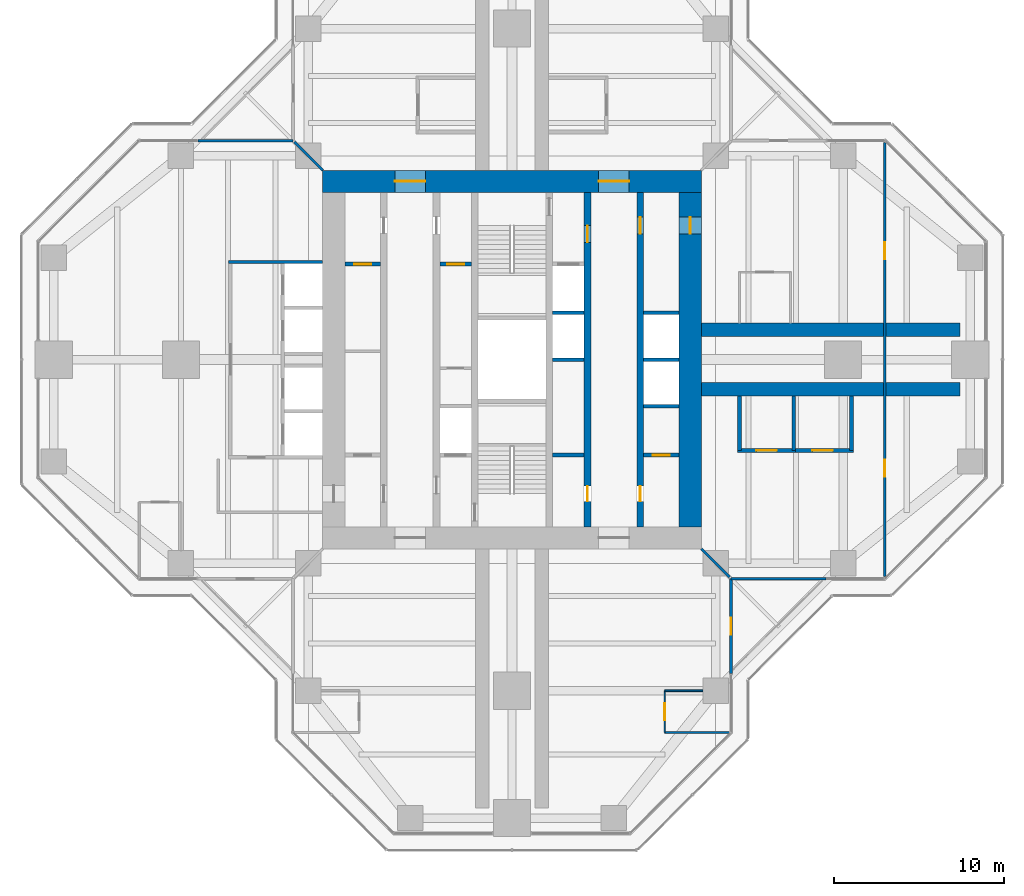
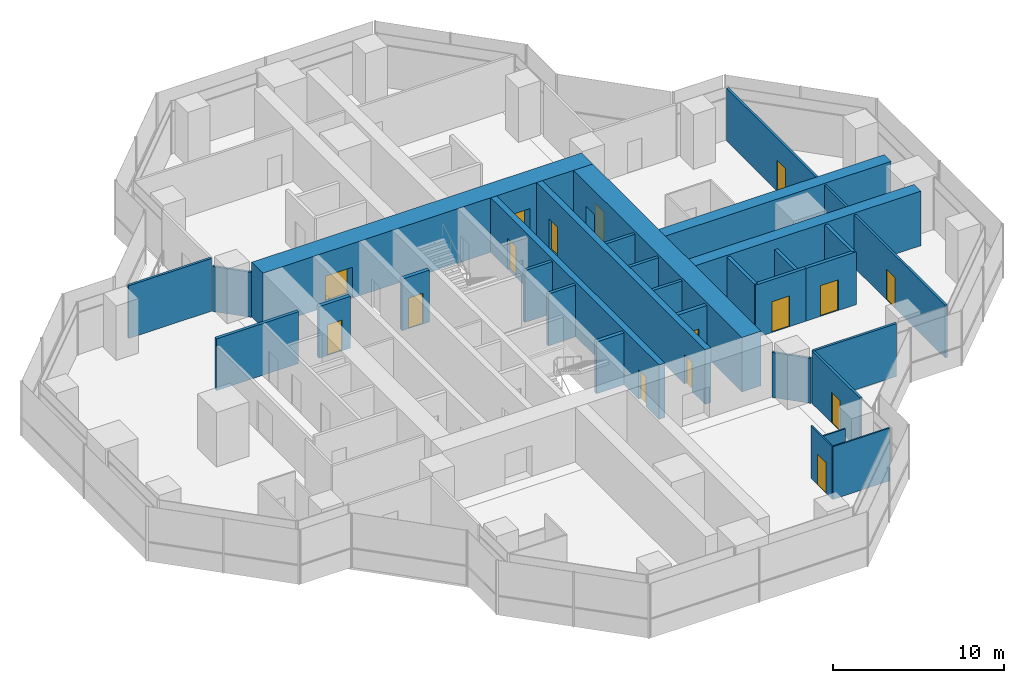
# One storey, part 14 of 17: 30 walls, 16 doors, 16 openings.
"""IFC4 building model written with IfcOpenShell, lengths in metres."""

from ifc_helpers import new_model, si_unit, direction, frame, frame_2d, origin, place, context, subcontext, project, spatial, rectangle, extrude, material, layer, layer_set, type_object, element, fill, save


model = new_model("IFC4")

# Units and contexts
model_context = context("Model", 3, precision=1e-05, world=origin(), true_north=direction((0.0, 1.0)))
body_context = subcontext(model_context, "Body", "Model", "MODEL_VIEW")
ifc_project = project(units=[si_unit("LENGTHUNIT", "METRE"), si_unit("AREAUNIT", "SQUARE_METRE"), si_unit("VOLUMEUNIT", "CUBIC_METRE"), si_unit("PLANEANGLEUNIT", "RADIAN"), si_unit("MASSUNIT", "GRAM", prefix="KILO")], contexts=[model_context])

# Site, building, storey
site_placement = place(None, origin())
site = spatial("IfcSite", under=ifc_project, at=site_placement, CompositionType="ELEMENT")
building_placement = place(site_placement, origin())
building = spatial("IfcBuilding", under=site, at=building_placement, Name="Mizan Broadcast Tower", CompositionType="ELEMENT")
storey_placement = place(building_placement, frame((0.0, 0.0, 228.300048828125)))
storey = spatial("IfcBuildingStorey", under=building, at=storey_placement, Name="L53", CompositionType="ELEMENT", Elevation=228.300048828125)

# Wall, openings, doors
ifc_material_1 = material(Name="Concrete C70/85", Category="concrete")
ifc_layer_1 = layer(ifc_material_1, 0.39990234375)
ifc_layer_set_1 = layer_set([ifc_layer_1], Name="Concrete C70/85")
wall_type_1 = type_object("IfcWallType", Name="CORE INTERNAL WALL 400", PredefinedType="SHEAR", material=ifc_layer_set_1)
wall_1_placement = place(storey_placement, frame((7.550048828125, 9.85009765625, 0.0), z_axis=(0.0, 0.0, 1.0), x_axis=(0.0, -1.0, 0.0)))
wall_1 = element("IfcWall", 1, at=wall_1_placement, inside=storey, type_object=wall_type_1, Name="Core wall CORE/XW1E", PredefinedType="SHEAR", context=body_context, shape_type="SweptSolid", body=[
    extrude(rectangle(XDim=19.7001953125, YDim=0.39990234375, at=frame_2d((9.85009765625, 0.0))), origin(), (0.0, 0.0, 1.0), 3.89990234375),
])
opening_1_placement = place(wall_1_placement, frame((1.449951171875, 0.0, 0.0)))
opening_1 = element("IfcOpeningElement", 2, at=opening_1_placement, cuts=wall_1, Name="Opening D10F", PredefinedType="OPENING", context=body_context, shape_type="SweptSolid", body=[
    extrude(rectangle(XDim=1.0, YDim=2.199951171875, at=frame_2d((0.5, 1.10009765625))), frame((0.0, 0.2099609375, 0.0), z_axis=(0.0, -1.0, 0.0), x_axis=(1.0, 0.0, 0.0)), (0.0, 0.0, 1.0), 0.419921875),
])
opening_2_placement = place(wall_1_placement, frame((17.300048828125, 0.0, 0.0)))
opening_2 = element("IfcOpeningElement", 3, at=opening_2_placement, cuts=wall_1, Name="Opening D09", PredefinedType="OPENING", context=body_context, shape_type="SweptSolid", body=[
    extrude(rectangle(XDim=0.89990234375, YDim=2.10009765625, at=frame_2d((0.449951171875, 1.050048828125))), frame((0.0, 0.2099609375, 0.0), z_axis=(0.0, -1.0, 0.0), x_axis=(1.0, 0.0, 0.0)), (0.0, 0.0, 1.0), 0.419921875),
])
ifc_material_2 = material(Name="Steel door leaf in steel frame", Category="steel")
door_type_1 = type_object("IfcDoorType", Name="FIRE DOOR 1000 FD90", OperationType="SINGLE_SWING_LEFT", PredefinedType="DOOR", material=ifc_material_2)
door_1_placement = place(opening_1_placement, origin())
door_1 = element("IfcDoor", 4, at=door_1_placement, inside=storey, type_object=door_type_1, Name="East core passage door", OperationType="SINGLE_SWING_LEFT", OverallHeight=2.199951171875, OverallWidth=1.0, PredefinedType="DOOR", context=body_context, shape_type="SweptSolid", body=[
    extrude(rectangle(XDim=1.0, YDim=2.199951171875, at=frame_2d((0.5, 1.10009765625))), frame((0.0, 0.02490234375, 0.0), z_axis=(0.0, -1.0, 0.0), x_axis=(1.0, 0.0, 0.0)), (0.0, 0.0, 1.0), 0.050048828125),
])
fill(opening_1, door_1)
ifc_material_3 = material(Name="Timber door leaf in aluminium frame", Category="wood")
door_type_2 = type_object("IfcDoorType", Name="TOILET DOOR 900", OperationType="SINGLE_SWING_LEFT", PredefinedType="DOOR", material=ifc_material_3)
door_2_placement = place(opening_2_placement, origin())
door_2 = element("IfcDoor", 5, at=door_2_placement, inside=storey, type_object=door_type_2, Name="Female WC door", OperationType="SINGLE_SWING_RIGHT", OverallHeight=2.10009765625, OverallWidth=0.89990234375, PredefinedType="DOOR", context=body_context, shape_type="SweptSolid", body=[
    extrude(rectangle(XDim=0.89990234375, YDim=2.10009765625, at=frame_2d((0.449951171875, 1.050048828125))), frame((0.0, 0.02490234375, 0.0), z_axis=(0.0, -1.0, 0.0), x_axis=(1.0, 0.0, 0.0)), (0.0, 0.0, 1.0), 0.050048828125),
])
fill(opening_2, door_2)

wall_2_placement = place(storey_placement, frame((4.449951171875, 9.85009765625, 0.0), z_axis=(0.0, 0.0, 1.0), x_axis=(0.0, -1.0, 0.0)))
wall_2 = element("IfcWall", 6, at=wall_2_placement, inside=storey, type_object=wall_type_1, Name="Core wall CORE/XWHE", PredefinedType="SHEAR", context=body_context, shape_type="SweptSolid", body=[
    extrude(rectangle(XDim=19.7001953125, YDim=0.39990234375, at=frame_2d((9.85009765625, 0.0))), origin(), (0.0, 0.0, 1.0), 3.89990234375),
])
opening_3_placement = place(wall_2_placement, frame((1.949951171875, 0.0, 0.0)))
opening_3 = element("IfcOpeningElement", 7, at=opening_3_placement, cuts=wall_2, Name="Opening D10F", PredefinedType="OPENING", context=body_context, shape_type="SweptSolid", body=[
    extrude(rectangle(XDim=1.0, YDim=2.199951171875, at=frame_2d((0.5, 1.10009765625))), frame((0.0, 0.2099609375, 0.0), z_axis=(0.0, -1.0, 0.0), x_axis=(1.0, 0.0, 0.0)), (0.0, 0.0, 1.0), 0.419921875),
])
opening_4_placement = place(wall_2_placement, frame((17.300048828125, 0.0, 0.0)))
opening_4 = element("IfcOpeningElement", 8, at=opening_4_placement, cuts=wall_2, Name="Opening D09", PredefinedType="OPENING", context=body_context, shape_type="SweptSolid", body=[
    extrude(rectangle(XDim=0.89990234375, YDim=2.10009765625, at=frame_2d((0.449951171875, 1.050048828125))), frame((0.0, 0.2099609375, 0.0), z_axis=(0.0, -1.0, 0.0), x_axis=(1.0, 0.0, 0.0)), (0.0, 0.0, 1.0), 0.419921875),
])
door_3_placement = place(opening_3_placement, origin())
door_3 = element("IfcDoor", 9, at=door_3_placement, inside=storey, type_object=door_type_1, Name="Firefighting lobby B door", OperationType="SINGLE_SWING_LEFT", OverallHeight=2.199951171875, OverallWidth=1.0, PredefinedType="DOOR", context=body_context, shape_type="SweptSolid", body=[
    extrude(rectangle(XDim=1.0, YDim=2.199951171875, at=frame_2d((0.5, 1.10009765625))), frame((0.0, 0.02490234375, 0.0), z_axis=(0.0, -1.0, 0.0), x_axis=(1.0, 0.0, 0.0)), (0.0, 0.0, 1.0), 0.050048828125),
])
fill(opening_3, door_3)
door_4_placement = place(opening_4_placement, origin())
door_4 = element("IfcDoor", 10, at=door_4_placement, inside=storey, type_object=door_type_2, Name="Cleaner's store door", OperationType="SINGLE_SWING_RIGHT", OverallHeight=2.10009765625, OverallWidth=0.89990234375, PredefinedType="DOOR", context=body_context, shape_type="SweptSolid", body=[
    extrude(rectangle(XDim=0.89990234375, YDim=2.10009765625, at=frame_2d((0.449951171875, 1.050048828125))), frame((0.0, 0.02490234375, 0.0), z_axis=(0.0, -1.0, 0.0), x_axis=(1.0, 0.0, 0.0)), (0.0, 0.0, 1.0), 0.050048828125),
])
fill(opening_4, door_4)

ifc_material_4 = material(Name="Concrete C70/85", Category="concrete")
ifc_layer_2 = layer(ifc_material_4, 1.300048828125)
ifc_layer_set_2 = layer_set([ifc_layer_2], Name="Concrete C70/85")
wall_type_2 = type_object("IfcWallType", Name="CORE WALL 1300", PredefinedType="SHEAR", material=ifc_layer_set_2)
wall_3_placement = place(storey_placement, frame((-11.14990234375, 10.5, 0.0), z_axis=(0.0, 0.0, 1.0), x_axis=(1.0, 0.0, 0.0)))
wall_3 = element("IfcWall", 11, at=wall_3_placement, inside=storey, type_object=wall_type_2, Name="Core wall N L53", PredefinedType="SHEAR", context=body_context, shape_type="SweptSolid", body=[
    extrude(rectangle(XDim=22.2998046875, YDim=1.300048828125, at=frame_2d((11.14990234375, 0.0))), origin(), (0.0, 0.0, 1.0), 3.89990234375),
])
opening_5_placement = place(wall_3_placement, frame((4.25, 0.0, 0.0)))
opening_5 = element("IfcOpeningElement", 12, at=opening_5_placement, cuts=wall_3, Name="Opening D18F", PredefinedType="OPENING", context=body_context, shape_type="SweptSolid", body=[
    extrude(rectangle(XDim=1.800048828125, YDim=2.199951171875, at=frame_2d((0.89990234375, 1.10009765625))), frame((0.0, 0.659912109375, 0.0), z_axis=(0.0, -1.0, 0.0), x_axis=(1.0, 0.0, 0.0)), (0.0, 0.0, 1.0), 1.320068359375),
])
opening_6_placement = place(wall_3_placement, frame((16.25, 0.0, 0.0)))
opening_6 = element("IfcOpeningElement", 13, at=opening_6_placement, cuts=wall_3, Name="Opening D18F", PredefinedType="OPENING", context=body_context, shape_type="SweptSolid", body=[
    extrude(rectangle(XDim=1.800048828125, YDim=2.199951171875, at=frame_2d((0.89990234375, 1.10009765625))), frame((0.0, 0.659912109375, 0.0), z_axis=(0.0, -1.0, 0.0), x_axis=(1.0, 0.0, 0.0)), (0.0, 0.0, 1.0), 1.320068359375),
])
ifc_material_5 = material(Name="Steel door leaf in steel frame", Category="steel")
door_type_3 = type_object("IfcDoorType", Name="LOBBY DOUBLE DOOR 1800 FD90", OperationType="DOUBLE_DOOR_DOUBLE_SWING", PredefinedType="DOOR", material=ifc_material_5)
door_5_placement = place(opening_5_placement, origin())
door_5 = element("IfcDoor", 14, at=door_5_placement, inside=storey, type_object=door_type_3, Name="West lift lobby north door", OperationType="DOUBLE_DOOR_DOUBLE_SWING", OverallHeight=2.199951171875, OverallWidth=1.800048828125, PredefinedType="DOOR", context=body_context, shape_type="SweptSolid", body=[
    extrude(rectangle(XDim=1.800048828125, YDim=2.199951171875, at=frame_2d((0.89990234375, 1.10009765625))), frame((0.0, 0.02490234375, 0.0), z_axis=(0.0, -1.0, 0.0), x_axis=(1.0, 0.0, 0.0)), (0.0, 0.0, 1.0), 0.050048828125),
])
fill(opening_5, door_5)
door_6_placement = place(opening_6_placement, origin())
door_6 = element("IfcDoor", 15, at=door_6_placement, inside=storey, type_object=door_type_3, Name="East lift lobby north door", OperationType="DOUBLE_DOOR_DOUBLE_SWING", OverallHeight=2.199951171875, OverallWidth=1.800048828125, PredefinedType="DOOR", context=body_context, shape_type="SweptSolid", body=[
    extrude(rectangle(XDim=1.800048828125, YDim=2.199951171875, at=frame_2d((0.89990234375, 1.10009765625))), frame((0.0, 0.02490234375, 0.0), z_axis=(0.0, -1.0, 0.0), x_axis=(1.0, 0.0, 0.0)), (0.0, 0.0, 1.0), 0.050048828125),
])
fill(opening_6, door_6)

# Wall, opening, door
wall_4_placement = place(storey_placement, frame((10.5, -9.85009765625, 0.0), z_axis=(0.0, 0.0, 1.0), x_axis=(0.0, 1.0, 0.0)))
wall_4 = element("IfcWall", 16, at=wall_4_placement, inside=storey, type_object=wall_type_2, Name="Core wall E L53", PredefinedType="SHEAR", context=body_context, shape_type="SweptSolid", body=[
    extrude(rectangle(XDim=19.7001953125, YDim=1.300048828125, at=frame_2d((9.85009765625, 0.0))), origin(), (0.0, 0.0, 1.0), 3.89990234375),
])
opening_7_placement = place(wall_4_placement, frame((17.25, 0.0, 0.0)))
opening_7 = element("IfcOpeningElement", 17, at=opening_7_placement, cuts=wall_4, Name="Opening D10F", PredefinedType="OPENING", context=body_context, shape_type="SweptSolid", body=[
    extrude(rectangle(XDim=1.0, YDim=2.199951171875, at=frame_2d((0.5, 1.10009765625))), frame((0.0, 0.659912109375, 0.0), z_axis=(0.0, -1.0, 0.0), x_axis=(1.0, 0.0, 0.0)), (0.0, 0.0, 1.0), 1.320068359375),
])
door_7_placement = place(opening_7_placement, origin())
door_7 = element("IfcDoor", 18, at=door_7_placement, inside=storey, type_object=door_type_1, Name="East core passage arm door", OperationType="SINGLE_SWING_RIGHT", OverallHeight=2.199951171875, OverallWidth=1.0, PredefinedType="DOOR", context=body_context, shape_type="SweptSolid", body=[
    extrude(rectangle(XDim=1.0, YDim=2.199951171875, at=frame_2d((0.5, 1.10009765625))), frame((0.0, 0.02490234375, 0.0), z_axis=(0.0, -1.0, 0.0), x_axis=(1.0, 0.0, 0.0)), (0.0, 0.0, 1.0), 0.050048828125),
])
fill(opening_7, door_7)

# Walls
ifc_material_6 = material(Name="Aluminium framed glazed screen", Category="aluminium")
ifc_layer_3 = layer(ifc_material_6, 0.159912109375)
ifc_layer_set_3 = layer_set([ifc_layer_3], Name="Aluminium framed glazed screen")
wall_type_3 = type_object("IfcWallType", Name="GLAZED SCREEN WALL 160", PredefinedType="SOLIDWALL", material=ifc_layer_set_3)
for number, where, z_axis, x_axis, name in (
    (19, (12.89990234375, -12.89990234375, 0.0), (0.0, 0.0, 1.0), (1.0, 0.0, 0.0), "Winter garden screen L53 E"),
    (20, (-12.89990234375, 12.89990234375, 0.0), (0.0, 0.0, 1.0), (-1.0, 0.0, 0.0), "Winter garden screen L53 W"),
):
    element("IfcWall", number, at=place(storey_placement, frame(where, z_axis=z_axis, x_axis=x_axis)), inside=storey, type_object=wall_type_3, Name=name, PredefinedType="SOLIDWALL", context=body_context, shape_type="SweptSolid", body=[
        extrude(rectangle(XDim=5.60009765625, YDim=0.159912109375, at=frame_2d((2.800048828125, 0.0))), origin(), (0.0, 0.0, 1.0), 3.77001953125),
    ])

# Wall, opening, door
wall_5_placement = place(storey_placement, frame((12.89990234375, -18.5, 0.0), z_axis=(0.0, 0.0, 1.0), x_axis=(0.0, 1.0, 0.0)))
wall_5 = element("IfcWall", 21, at=wall_5_placement, inside=storey, type_object=wall_type_3, Name="Winter garden screen L53 S", PredefinedType="SOLIDWALL", context=body_context, shape_type="SweptSolid", body=[
    extrude(rectangle(XDim=5.60009765625, YDim=0.159912109375, at=frame_2d((2.800048828125, 0.0))), origin(), (0.0, 0.0, 1.0), 3.77001953125),
])
opening_8_placement = place(wall_5_placement, frame((2.300048828125, 0.0, 0.0)))
opening_8 = element("IfcOpeningElement", 22, at=opening_8_placement, cuts=wall_5, Name="Opening WGD", PredefinedType="OPENING", context=body_context, shape_type="SweptSolid", body=[
    extrude(rectangle(XDim=1.0, YDim=2.199951171875, at=frame_2d((0.5, 1.10009765625))), frame((0.0, 0.08984375, 0.0), z_axis=(0.0, -1.0, 0.0), x_axis=(1.0, 0.0, 0.0)), (0.0, 0.0, 1.0), 0.179931640625),
])
ifc_material_7 = material(Name="Aluminium framed glazed door", Category="aluminium")
door_type_4 = type_object("IfcDoorType", Name="WINTER GARDEN DOOR 1000 GLAZED", OperationType="SINGLE_SWING_LEFT", PredefinedType="DOOR", material=ifc_material_7)
door_8_placement = place(opening_8_placement, origin())
door_8 = element("IfcDoor", 23, at=door_8_placement, inside=storey, type_object=door_type_4, Name="Winter garden door L53 S", OperationType="SINGLE_SWING_RIGHT", OverallHeight=2.199951171875, OverallWidth=1.0, PredefinedType="DOOR", context=body_context, shape_type="SweptSolid", body=[
    extrude(rectangle(XDim=1.0, YDim=2.199951171875, at=frame_2d((0.5, 1.10009765625))), frame((0.0, 0.02490234375, 0.0), z_axis=(0.0, -1.0, 0.0), x_axis=(1.0, 0.0, 0.0)), (0.0, 0.0, 1.0), 0.050048828125),
])
fill(opening_8, door_8)

# Walls
ifc_material_8 = material(Name="Concrete blockwork", Category="masonry")
ifc_layer_4 = layer(ifc_material_8, 0.199951171875)
ifc_layer_set_4 = layer_set([ifc_layer_4], Name="Concrete blockwork")
wall_type_4 = type_object("IfcWallType", Name="LIFT SHAFT WALL 200", PredefinedType="SOLIDWALL", material=ifc_layer_set_4)
wall_6_placement = place(storey_placement, frame((7.75, -2.75, 0.0), z_axis=(0.0, 0.0, 1.0), x_axis=(1.0, 0.0, 0.0)))
element("IfcWall", 24, at=wall_6_placement, inside=storey, type_object=wall_type_4, Name="Lift shaft wall CORE/SE1-1", PredefinedType="SOLIDWALL", context=body_context, shape_type="SweptSolid", body=[
    extrude(rectangle(XDim=2.10009765625, YDim=0.199951171875, at=frame_2d((1.050048828125, 0.0))), origin(), (0.0, 0.0, 1.0), 3.699951171875),
])
wall_7_placement = place(storey_placement, frame((2.39990234375, 0.0, 0.0), z_axis=(0.0, 0.0, 1.0), x_axis=(1.0, 0.0, 0.0)))
element("IfcWall", 25, at=wall_7_placement, inside=storey, type_object=wall_type_4, Name="Lift shaft wall CORE/SE2-2", PredefinedType="SOLIDWALL", context=body_context, shape_type="SweptSolid", body=[
    extrude(rectangle(XDim=1.85009765625, YDim=0.199951171875, at=frame_2d((0.925048828125, 0.0))), origin(), (0.0, 0.0, 1.0), 3.699951171875),
])
wall_8_placement = place(storey_placement, frame((7.75, 0.0, 0.0), z_axis=(0.0, 0.0, 1.0), x_axis=(1.0, 0.0, 0.0)))
element("IfcWall", 26, at=wall_8_placement, inside=storey, type_object=wall_type_4, Name="Lift shaft wall CORE/SE1-2", PredefinedType="SOLIDWALL", context=body_context, shape_type="SweptSolid", body=[
    extrude(rectangle(XDim=2.10009765625, YDim=0.199951171875, at=frame_2d((1.050048828125, 0.0))), origin(), (0.0, 0.0, 1.0), 3.699951171875),
])
wall_9_placement = place(storey_placement, frame((2.39990234375, 2.75, 0.0), z_axis=(0.0, 0.0, 1.0), x_axis=(1.0, 0.0, 0.0)))
element("IfcWall", 27, at=wall_9_placement, inside=storey, type_object=wall_type_4, Name="Lift shaft wall CORE/SE2-3", PredefinedType="SOLIDWALL", context=body_context, shape_type="SweptSolid", body=[
    extrude(rectangle(XDim=1.85009765625, YDim=0.199951171875, at=frame_2d((0.925048828125, 0.0))), origin(), (0.0, 0.0, 1.0), 3.699951171875),
])
wall_10_placement = place(storey_placement, frame((7.75, 2.75, 0.0), z_axis=(0.0, 0.0, 1.0), x_axis=(1.0, 0.0, 0.0)))
element("IfcWall", 28, at=wall_10_placement, inside=storey, type_object=wall_type_4, Name="Lift shaft wall CORE/SE1-3", PredefinedType="SOLIDWALL", context=body_context, shape_type="SweptSolid", body=[
    extrude(rectangle(XDim=2.10009765625, YDim=0.199951171875, at=frame_2d((1.050048828125, 0.0))), origin(), (0.0, 0.0, 1.0), 3.699951171875),
])
wall_11_placement = place(storey_placement, frame((-11.14990234375, 5.75, 0.0), z_axis=(0.0, 0.0, 1.0), x_axis=(-1.0, 0.0, 0.0)))
element("IfcWall", 29, at=wall_11_placement, inside=storey, type_object=wall_type_4, Name="Lift shaft wall LC/S1", PredefinedType="SOLIDWALL", context=body_context, shape_type="SweptSolid", body=[
    extrude(rectangle(XDim=5.550048828125, YDim=0.199951171875, at=frame_2d((2.77490234375, 0.0))), origin(), (0.0, 0.0, 1.0), 3.699951171875),
])

# Wall, opening, door
ifc_material_9 = material(Name="Concrete blockwork", Category="masonry")
ifc_layer_5 = layer(ifc_material_9, 0.25)
ifc_layer_set_5 = layer_set([ifc_layer_5], Name="Concrete blockwork")
wall_type_5 = type_object("IfcWallType", Name="LOBBY ENCLOSURE WALL 250", PredefinedType="SOLIDWALL", material=ifc_layer_set_5)
wall_12_placement = place(storey_placement, frame((-9.85009765625, 5.625, 0.0), z_axis=(0.0, 0.0, 1.0), x_axis=(1.0, 0.0, 0.0)))
wall_12 = element("IfcWall", 30, at=wall_12_placement, inside=storey, type_object=wall_type_5, Name="Lobby enclosure wall CORE/BW1N", PredefinedType="SOLIDWALL", context=body_context, shape_type="SweptSolid", body=[
    extrude(rectangle(XDim=2.10009765625, YDim=0.25, at=frame_2d((1.050048828125, 0.0))), origin(), (0.0, 0.0, 1.0), 3.699951171875),
])
opening_9_placement = place(wall_12_placement, frame((0.550048828125, 0.0, 0.0)))
opening_9 = element("IfcOpeningElement", 31, at=opening_9_placement, cuts=wall_12, Name="Opening D10F", PredefinedType="OPENING", context=body_context, shape_type="SweptSolid", body=[
    extrude(rectangle(XDim=1.0, YDim=2.199951171875, at=frame_2d((0.5, 1.10009765625))), frame((0.0, 0.135009765625, 0.0), z_axis=(0.0, -1.0, 0.0), x_axis=(1.0, 0.0, 0.0)), (0.0, 0.0, 1.0), 0.27001953125),
])
door_9_placement = place(opening_9_placement, origin())
door_9 = element("IfcDoor", 32, at=door_9_placement, inside=storey, type_object=door_type_1, Name="Male staff shower room door", OperationType="SINGLE_SWING_RIGHT", OverallHeight=2.199951171875, OverallWidth=1.0, PredefinedType="DOOR", context=body_context, shape_type="SweptSolid", body=[
    extrude(rectangle(XDim=1.0, YDim=2.199951171875, at=frame_2d((0.5, 1.10009765625))), frame((0.0, 0.02490234375, 0.0), z_axis=(0.0, -1.0, 0.0), x_axis=(1.0, 0.0, 0.0)), (0.0, 0.0, 1.0), 0.050048828125),
])
fill(opening_9, door_9)

wall_13_placement = place(storey_placement, frame((-4.25, 5.625, 0.0), z_axis=(0.0, 0.0, 1.0), x_axis=(1.0, 0.0, 0.0)))
wall_13 = element("IfcWall", 33, at=wall_13_placement, inside=storey, type_object=wall_type_5, Name="Lobby enclosure wall CORE/BW2N", PredefinedType="SOLIDWALL", context=body_context, shape_type="SweptSolid", body=[
    extrude(rectangle(XDim=1.85009765625, YDim=0.25, at=frame_2d((0.925048828125, 0.0))), origin(), (0.0, 0.0, 1.0), 3.699951171875),
])
opening_10_placement = place(wall_13_placement, frame((0.425048828125, 0.0, 0.0)))
opening_10 = element("IfcOpeningElement", 34, at=opening_10_placement, cuts=wall_13, Name="Opening D10F", PredefinedType="OPENING", context=body_context, shape_type="SweptSolid", body=[
    extrude(rectangle(XDim=1.0, YDim=2.199951171875, at=frame_2d((0.5, 1.10009765625))), frame((0.0, 0.135009765625, 0.0), z_axis=(0.0, -1.0, 0.0), x_axis=(1.0, 0.0, 0.0)), (0.0, 0.0, 1.0), 0.27001953125),
])
door_10_placement = place(opening_10_placement, origin())
door_10 = element("IfcDoor", 35, at=door_10_placement, inside=storey, type_object=door_type_1, Name="Accessible shower room door", OperationType="SINGLE_SWING_RIGHT", OverallHeight=2.199951171875, OverallWidth=1.0, PredefinedType="DOOR", context=body_context, shape_type="SweptSolid", body=[
    extrude(rectangle(XDim=1.0, YDim=2.199951171875, at=frame_2d((0.5, 1.10009765625))), frame((0.0, 0.02490234375, 0.0), z_axis=(0.0, -1.0, 0.0), x_axis=(1.0, 0.0, 0.0)), (0.0, 0.0, 1.0), 0.050048828125),
])
fill(opening_10, door_10)

# Wall
wall_14_placement = place(storey_placement, frame((2.39990234375, -5.625, 0.0), z_axis=(0.0, 0.0, 1.0), x_axis=(1.0, 0.0, 0.0)))
element("IfcWall", 36, at=wall_14_placement, inside=storey, type_object=wall_type_5, Name="Lobby enclosure wall CORE/BE2S", PredefinedType="SOLIDWALL", context=body_context, shape_type="SweptSolid", body=[
    extrude(rectangle(XDim=1.85009765625, YDim=0.25, at=frame_2d((0.925048828125, 0.0))), origin(), (0.0, 0.0, 1.0), 3.699951171875),
])

# Wall, opening, door
wall_15_placement = place(storey_placement, frame((7.75, -5.625, 0.0), z_axis=(0.0, 0.0, 1.0), x_axis=(1.0, 0.0, 0.0)))
wall_15 = element("IfcWall", 37, at=wall_15_placement, inside=storey, type_object=wall_type_5, Name="Lobby enclosure wall CORE/BE1S", PredefinedType="SOLIDWALL", context=body_context, shape_type="SweptSolid", body=[
    extrude(rectangle(XDim=2.10009765625, YDim=0.25, at=frame_2d((1.050048828125, 0.0))), origin(), (0.0, 0.0, 1.0), 3.699951171875),
])
opening_11_placement = place(wall_15_placement, frame((0.550048828125, 0.0, 0.0)))
opening_11 = element("IfcOpeningElement", 38, at=opening_11_placement, cuts=wall_15, Name="Opening D10F", PredefinedType="OPENING", context=body_context, shape_type="SweptSolid", body=[
    extrude(rectangle(XDim=1.0, YDim=2.199951171875, at=frame_2d((0.5, 1.10009765625))), frame((0.0, 0.135009765625, 0.0), z_axis=(0.0, -1.0, 0.0), x_axis=(1.0, 0.0, 0.0)), (0.0, 0.0, 1.0), 0.27001953125),
])
door_11_placement = place(opening_11_placement, origin())
door_11 = element("IfcDoor", 39, at=door_11_placement, inside=storey, type_object=door_type_1, Name="Female staff shower room door", OperationType="SINGLE_SWING_LEFT", OverallHeight=2.199951171875, OverallWidth=1.0, PredefinedType="DOOR", context=body_context, shape_type="SweptSolid", body=[
    extrude(rectangle(XDim=1.0, YDim=2.199951171875, at=frame_2d((0.5, 1.10009765625))), frame((0.0, 0.02490234375, 0.0), z_axis=(0.0, -1.0, 0.0), x_axis=(1.0, 0.0, 0.0)), (0.0, 0.0, 1.0), 0.050048828125),
])
fill(opening_11, door_11)

# Wall, openings, doors
ifc_material_10 = material(Name="Gypsum board on steel studs", Category="steel")
ifc_layer_6 = layer(ifc_material_10, 0.14990234375)
ifc_layer_set_6 = layer_set([ifc_layer_6], Name="Gypsum board on steel studs")
wall_type_6 = type_object("IfcWallType", Name="PARTITION 150", PredefinedType="PARTITIONING", material=ifc_layer_set_6)
wall_16_placement = place(storey_placement, frame((21.958984375, -12.786376953125, 0.0), z_axis=(0.0, 0.0, 1.0), x_axis=(0.0, 1.0, 0.0)))
wall_16 = element("IfcWall", 40, at=wall_16_placement, inside=storey, type_object=wall_type_6, Name="Partition PT/EX1", PredefinedType="PARTITIONING", context=body_context, shape_type="SweptSolid", body=[
    extrude(rectangle(XDim=25.57275390625, YDim=0.14990234375, at=frame_2d((12.786376953125, 0.0))), origin(), (0.0, 0.0, 1.0), 3.77001953125),
])
opening_12_placement = place(wall_16_placement, frame((18.6865234375, 0.0, 0.0)))
opening_12 = element("IfcOpeningElement", 41, at=opening_12_placement, cuts=wall_16, Name="Opening D10", PredefinedType="OPENING", context=body_context, shape_type="SweptSolid", body=[
    extrude(rectangle(XDim=1.0, YDim=2.199951171875, at=frame_2d((0.5, 1.10009765625))), frame((0.0, 0.0849609375, 0.0), z_axis=(0.0, -1.0, 0.0), x_axis=(1.0, 0.0, 0.0)), (0.0, 0.0, 1.0), 0.169921875),
])
opening_13_placement = place(wall_16_placement, frame((5.886474609375, 0.0, 0.0)))
opening_13 = element("IfcOpeningElement", 42, at=opening_13_placement, cuts=wall_16, Name="Opening D10", PredefinedType="OPENING", context=body_context, shape_type="SweptSolid", body=[
    extrude(rectangle(XDim=1.0, YDim=2.199951171875, at=frame_2d((0.5, 1.10009765625))), frame((0.0, 0.0849609375, 0.0), z_axis=(0.0, -1.0, 0.0), x_axis=(1.0, 0.0, 0.0)), (0.0, 0.0, 1.0), 0.169921875),
])
ifc_material_11 = material(Name="Timber door leaf in aluminium frame", Category="wood")
door_type_5 = type_object("IfcDoorType", Name="ROOM DOOR 1000", OperationType="SINGLE_SWING_LEFT", PredefinedType="DOOR", material=ifc_material_11)
door_12_placement = place(opening_12_placement, origin())
door_12 = element("IfcDoor", 43, at=door_12_placement, inside=storey, type_object=door_type_5, Name="Meeting room door", OperationType="SINGLE_SWING_RIGHT", OverallHeight=2.199951171875, OverallWidth=1.0, PredefinedType="DOOR", context=body_context, shape_type="SweptSolid", body=[
    extrude(rectangle(XDim=1.0, YDim=2.199951171875, at=frame_2d((0.5, 1.10009765625))), frame((0.0, 0.02490234375, 0.0), z_axis=(0.0, -1.0, 0.0), x_axis=(1.0, 0.0, 0.0)), (0.0, 0.0, 1.0), 0.050048828125),
])
fill(opening_12, door_12)
door_13_placement = place(opening_13_placement, origin())
door_13 = element("IfcDoor", 44, at=door_13_placement, inside=storey, type_object=door_type_5, Name="Meeting room door", OperationType="SINGLE_SWING_LEFT", OverallHeight=2.199951171875, OverallWidth=1.0, PredefinedType="DOOR", context=body_context, shape_type="SweptSolid", body=[
    extrude(rectangle(XDim=1.0, YDim=2.199951171875, at=frame_2d((0.5, 1.10009765625))), frame((0.0, 0.02490234375, 0.0), z_axis=(0.0, -1.0, 0.0), x_axis=(1.0, 0.0, 0.0)), (0.0, 0.0, 1.0), 0.050048828125),
])
fill(opening_13, door_13)

# Walls
for number, where, z_axis, x_axis, name in (
    (45, (-11.14990234375, 11.14990234375, 0.0), (0.0, 0.0, 1.0), (-0.707106781187, 0.707106781187, 0.0), "Partition PT/DGWN"),
    (46, (11.14990234375, -11.14990234375, 0.0), (0.0, 0.0, 1.0), (0.707106781187, -0.707106781187, 0.0), "Partition PT/DGES"),
):
    element("IfcWall", number, at=place(storey_placement, frame(where, z_axis=z_axis, x_axis=x_axis)), inside=storey, type_object=wall_type_6, Name=name, PredefinedType="PARTITIONING", context=body_context, shape_type="SweptSolid", body=[
        extrude(rectangle(XDim=2.362060546875, YDim=0.14990234375, at=frame_2d((1.18115234375, 0.0))), origin(), (0.0, 0.0, 1.0), 3.219970703125),
    ])
ifc_material_12 = material(Name="Twin steel stud acoustic partition, four layers of gypsum board", Category="steel")
ifc_layer_7 = layer(ifc_material_12, 0.22509765625)
ifc_layer_set_7 = layer_set([ifc_layer_7], Name="Twin steel stud acoustic partition, four layers of gypsum board")
wall_type_7 = type_object("IfcWallType", Name="PARTITION ACOUSTIC 225", PredefinedType="PARTITIONING", material=ifc_layer_set_7)
wall_17_placement = place(storey_placement, frame((13.39990234375, -2.14990234375, 0.0), z_axis=(0.0, 0.0, 1.0), x_axis=(0.0, -1.0, 0.0)))
element("IfcWall", 47, at=wall_17_placement, inside=storey, type_object=wall_type_7, Name="Acoustic partition PT/EKN0a", PredefinedType="PARTITIONING", context=body_context, shape_type="SweptSolid", body=[
    extrude(rectangle(XDim=3.2001953125, YDim=0.22509765625, at=frame_2d((1.60009765625, 0.0))), origin(), (0.0, 0.0, 1.0), 3.77001953125),
])
wall_18_placement = place(storey_placement, frame((16.60009765625, -2.14990234375, 0.0), z_axis=(0.0, 0.0, 1.0), x_axis=(0.0, -1.0, 0.0)))
element("IfcWall", 48, at=wall_18_placement, inside=storey, type_object=wall_type_7, Name="Acoustic partition PT/EKN0b", PredefinedType="PARTITIONING", context=body_context, shape_type="SweptSolid", body=[
    extrude(rectangle(XDim=3.2001953125, YDim=0.22509765625, at=frame_2d((1.60009765625, 0.0))), origin(), (0.0, 0.0, 1.0), 3.179931640625),
])

# Wall, opening, door
wall_19_placement = place(storey_placement, frame((13.28759765625, -5.35009765625, 0.0), z_axis=(0.0, 0.0, 1.0), x_axis=(1.0, 0.0, 0.0)))
wall_19 = element("IfcWall", 49, at=wall_19_placement, inside=storey, type_object=wall_type_7, Name="Acoustic partition PT/EKN0f", PredefinedType="PARTITIONING", context=body_context, shape_type="SweptSolid", body=[
    extrude(rectangle(XDim=3.4248046875, YDim=0.22509765625, at=frame_2d((1.71240234375, 0.0))), origin(), (0.0, 0.0, 1.0), 3.77001953125),
])
opening_14_placement = place(wall_19_placement, frame((1.112548828125, 0.0, 0.0)))
opening_14 = element("IfcOpeningElement", 50, at=opening_14_placement, cuts=wall_19, Name="Opening D12A", PredefinedType="OPENING", context=body_context, shape_type="SweptSolid", body=[
    extrude(rectangle(XDim=1.199951171875, YDim=2.199951171875, at=frame_2d((0.60009765625, 1.10009765625))), frame((0.0, 0.12255859375, 0.0), z_axis=(0.0, -1.0, 0.0), x_axis=(1.0, 0.0, 0.0)), (0.0, 0.0, 1.0), 0.2451171875),
])
ifc_material_13 = material(Name="Timber door leaf in aluminium frame", Category="wood")
door_type_6 = type_object("IfcDoorType", Name="ACOUSTIC DOOR 1200", OperationType="SINGLE_SWING_LEFT", PredefinedType="DOOR", material=ifc_material_13)
door_14_placement = place(opening_14_placement, origin())
door_14 = element("IfcDoor", 51, at=door_14_placement, inside=storey, type_object=door_type_6, Name="Edit suite door", OperationType="SINGLE_SWING_LEFT", OverallHeight=2.199951171875, OverallWidth=1.199951171875, PredefinedType="DOOR", context=body_context, shape_type="SweptSolid", body=[
    extrude(rectangle(XDim=1.199951171875, YDim=2.199951171875, at=frame_2d((0.60009765625, 1.10009765625))), frame((0.0, 0.02490234375, 0.0), z_axis=(0.0, -1.0, 0.0), x_axis=(1.0, 0.0, 0.0)), (0.0, 0.0, 1.0), 0.050048828125),
])
fill(opening_14, door_14)

# Wall
wall_20_placement = place(storey_placement, frame((20.0, -2.14990234375, 0.0), z_axis=(0.0, 0.0, 1.0), x_axis=(0.0, -1.0, 0.0)))
element("IfcWall", 52, at=wall_20_placement, inside=storey, type_object=wall_type_7, Name="Acoustic partition PT/EKN1b", PredefinedType="PARTITIONING", context=body_context, shape_type="SweptSolid", body=[
    extrude(rectangle(XDim=3.2001953125, YDim=0.22509765625, at=frame_2d((1.60009765625, 0.0))), origin(), (0.0, 0.0, 1.0), 3.77001953125),
])

# Wall, opening, door
wall_21_placement = place(storey_placement, frame((16.71240234375, -5.35009765625, 0.0), z_axis=(0.0, 0.0, 1.0), x_axis=(1.0, 0.0, 0.0)))
wall_21 = element("IfcWall", 53, at=wall_21_placement, inside=storey, type_object=wall_type_7, Name="Acoustic partition PT/EKN1f", PredefinedType="PARTITIONING", context=body_context, shape_type="SweptSolid", body=[
    extrude(rectangle(XDim=3.400146484375, YDim=0.22509765625, at=frame_2d((1.7001953125, 0.0))), origin(), (0.0, 0.0, 1.0), 3.77001953125),
])
opening_15_placement = place(wall_21_placement, frame((0.987548828125, 0.0, 0.0)))
opening_15 = element("IfcOpeningElement", 54, at=opening_15_placement, cuts=wall_21, Name="Opening D12A", PredefinedType="OPENING", context=body_context, shape_type="SweptSolid", body=[
    extrude(rectangle(XDim=1.199951171875, YDim=2.199951171875, at=frame_2d((0.60009765625, 1.10009765625))), frame((0.0, 0.12255859375, 0.0), z_axis=(0.0, -1.0, 0.0), x_axis=(1.0, 0.0, 0.0)), (0.0, 0.0, 1.0), 0.2451171875),
])
door_15_placement = place(opening_15_placement, origin())
door_15 = element("IfcDoor", 55, at=door_15_placement, inside=storey, type_object=door_type_6, Name="Edit suite door", OperationType="SINGLE_SWING_LEFT", OverallHeight=2.199951171875, OverallWidth=1.199951171875, PredefinedType="DOOR", context=body_context, shape_type="SweptSolid", body=[
    extrude(rectangle(XDim=1.199951171875, YDim=2.199951171875, at=frame_2d((0.60009765625, 1.10009765625))), frame((0.0, 0.02490234375, 0.0), z_axis=(0.0, -1.0, 0.0), x_axis=(1.0, 0.0, 0.0)), (0.0, 0.0, 1.0), 0.050048828125),
])
fill(opening_15, door_15)

ifc_material_14 = material(Name="Glazed aluminium partition on aluminium track", Category="aluminium")
ifc_layer_8 = layer(ifc_material_14, 0.10009765625)
ifc_layer_set_8 = layer_set([ifc_layer_8], Name="Glazed aluminium partition on aluminium track")
wall_type_8 = type_object("IfcWallType", Name="PARTITION GLAZED OFFICE FRONT 100", PredefinedType="PARTITIONING", material=ifc_layer_set_8)
wall_22_placement = place(storey_placement, frame((9.0, -19.5, 0.0), z_axis=(0.0, 0.0, 1.0), x_axis=(0.0, -1.0, 0.0)))
wall_22 = element("IfcWall", 56, at=wall_22_placement, inside=storey, type_object=wall_type_8, Name="Glazed office front PT/SCP0", PredefinedType="PARTITIONING", context=body_context, shape_type="SweptSolid", body=[
    extrude(rectangle(XDim=2.458984375, YDim=0.10009765625, at=frame_2d((1.2294921875, 0.0))), origin(), (0.0, 0.0, 1.0), 3.77001953125),
])
opening_16_placement = place(wall_22_placement, frame((0.7294921875, 0.0, 0.0)))
opening_16 = element("IfcOpeningElement", 57, at=opening_16_placement, cuts=wall_22, Name="Opening D10O", PredefinedType="OPENING", context=body_context, shape_type="SweptSolid", body=[
    extrude(rectangle(XDim=1.0, YDim=2.199951171875, at=frame_2d((0.5, 1.10009765625))), frame((0.0, 0.06005859375, 0.0), z_axis=(0.0, -1.0, 0.0), x_axis=(1.0, 0.0, 0.0)), (0.0, 0.0, 1.0), 0.1201171875),
])
ifc_material_15 = material(Name="Timber door leaf in aluminium frame", Category="wood")
door_type_7 = type_object("IfcDoorType", Name="OFFICE DOOR 1000 GLAZED", OperationType="SINGLE_SWING_LEFT", PredefinedType="DOOR", material=ifc_material_15)
door_16_placement = place(opening_16_placement, origin())
door_16 = element("IfcDoor", 58, at=door_16_placement, inside=storey, type_object=door_type_7, Name="Office door", OperationType="SINGLE_SWING_LEFT", OverallHeight=2.199951171875, OverallWidth=1.0, PredefinedType="DOOR", context=body_context, shape_type="SweptSolid", body=[
    extrude(rectangle(XDim=1.0, YDim=2.199951171875, at=frame_2d((0.5, 1.10009765625))), frame((0.0, 0.02490234375, 0.0), z_axis=(0.0, -1.0, 0.0), x_axis=(1.0, 0.0, 0.0)), (0.0, 0.0, 1.0), 0.050048828125),
])
fill(opening_16, door_16)

# Walls
wall_23_placement = place(storey_placement, frame((9.0, -19.5, 0.0), z_axis=(0.0, 0.0, 1.0), x_axis=(1.0, 0.0, 0.0)))
element("IfcWall", 59, at=wall_23_placement, inside=storey, type_object=wall_type_8, Name="Glazed office front PT/SQP1950", PredefinedType="PARTITIONING", context=body_context, shape_type="SweptSolid", body=[
    extrude(rectangle(XDim=2.25, YDim=0.10009765625, at=frame_2d((1.125, 0.0))), origin(), (0.0, 0.0, 1.0), 2.77001953125),
])
wall_24_placement = place(storey_placement, frame((9.0, -21.958984375, 0.0), z_axis=(0.0, 0.0, 1.0), x_axis=(1.0, 0.0, 0.0)))
element("IfcWall", 60, at=wall_24_placement, inside=storey, type_object=wall_type_8, Name="Glazed office front PT/SQP2196", PredefinedType="PARTITIONING", context=body_context, shape_type="SweptSolid", body=[
    extrude(rectangle(XDim=3.820068359375, YDim=0.10009765625, at=frame_2d((1.91015625, 0.0))), origin(), (0.0, 0.0, 1.0), 3.77001953125),
])
ifc_material_16 = material(Name="Concrete C70/85", Category="concrete")
ifc_layer_9 = layer(ifc_material_16, 0.800048828125)
ifc_layer_set_9 = layer_set([ifc_layer_9], Name="Concrete C70/85")
wall_type_9 = type_object("IfcWallType", Name="SPINE WALL 800", PredefinedType="SHEAR", material=ifc_layer_set_9)
for number, where, z_axis, x_axis, name in (
    (61, (11.14990234375, -1.75, 0.0), (0.0, 0.0, 1.0), (1.0, 0.0, 0.0), "Spine wall ER L53"),
    (62, (11.14990234375, 1.75, 0.0), (0.0, 0.0, 1.0), (1.0, 0.0, 0.0), "Spine wall EL L53"),
):
    element("IfcWall", number, at=place(storey_placement, frame(where, z_axis=z_axis, x_axis=x_axis)), inside=storey, type_object=wall_type_9, Name=name, PredefinedType="SHEAR", context=body_context, shape_type="SweptSolid", body=[
        extrude(rectangle(XDim=15.25, YDim=0.800048828125, at=frame_2d((7.625, 0.0))), origin(), (0.0, 0.0, 1.0), 3.89990234375),
    ])

save(model, "model.ifc")
